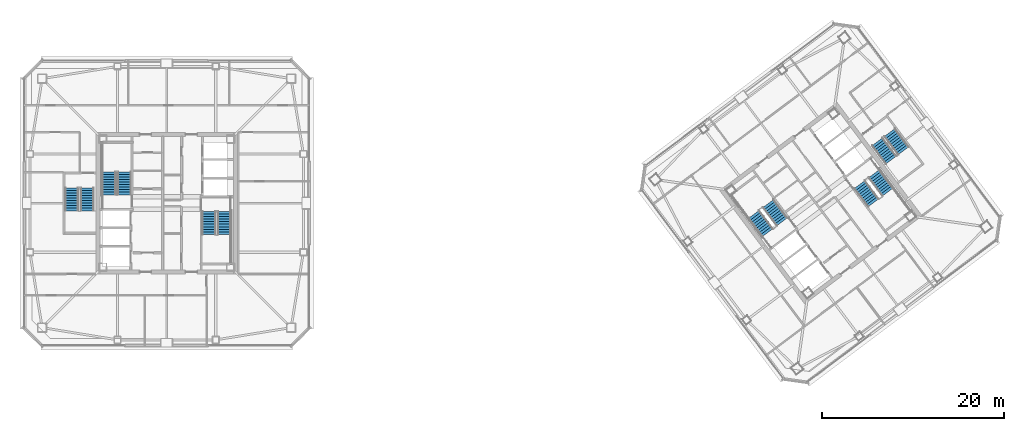
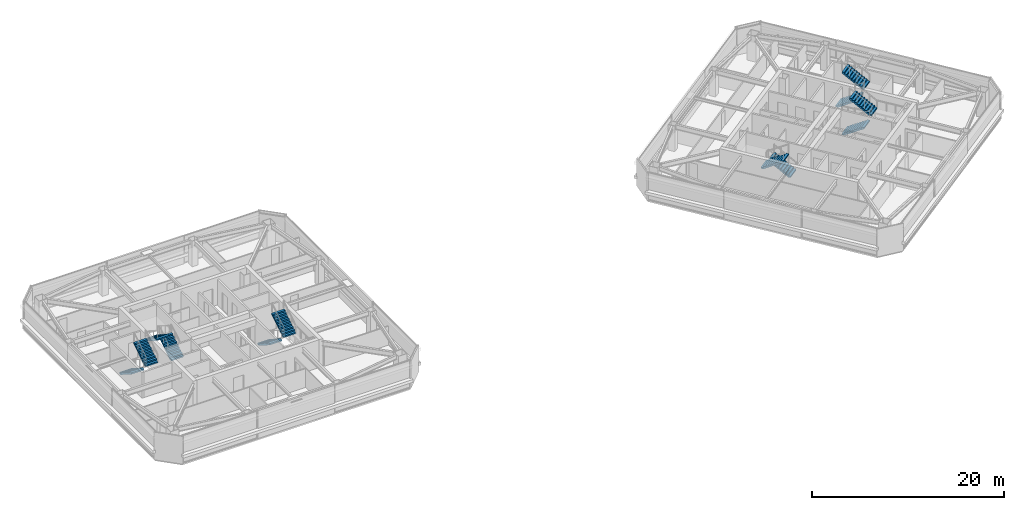
# One storey, part 33 of 39: 12 stair flights, 6 elements without a shape of their own.
"""IFC4 building model written with IfcOpenShell, lengths in metres."""

from ifc_helpers import new_model, si_unit, direction, frame, origin, place, context, subcontext, project, spatial, polyline, outline, extrude, material, type_object, element, aggregate, save


model = new_model("IFC4")

# Units and contexts
model_context = context("Model", 3, precision=1e-05, world=origin(), true_north=direction((0.0, 1.0)))
body_context = subcontext(model_context, "Body", "Model", "MODEL_VIEW")
ifc_project = project(units=[si_unit("LENGTHUNIT", "METRE"), si_unit("AREAUNIT", "SQUARE_METRE"), si_unit("VOLUMEUNIT", "CUBIC_METRE"), si_unit("PLANEANGLEUNIT", "RADIAN"), si_unit("MASSUNIT", "GRAM", prefix="KILO")], contexts=[model_context])

# Site, building, storey
site_placement = place(None, origin())
site = spatial("IfcSite", under=ifc_project, at=site_placement, CompositionType="ELEMENT")
building_placement = place(site_placement, origin())
building = spatial("IfcBuilding", under=site, at=building_placement, Name="Tashvorn Skyway Center", CompositionType="ELEMENT")
storey_placement = place(building_placement, frame((0.0, 0.0, 243.25)))
storey = spatial("IfcBuildingStorey", under=building, at=storey_placement, Name="L66", CompositionType="ELEMENT", Elevation=243.25)

# Stair, stair flights
ifc_material = material(Name="Concrete C40/50", Category="concrete")
stair_type = type_object("IfcStairType", Name="STAIR-CORE-1500", PredefinedType="HALF_TURN_STAIR", material=ifc_material)
stair_1_placement = place(storey_placement, origin())
stair_1 = element("IfcStair", 1, at=stair_1_placement, inside=storey, type_object=stair_type, Name="L66 Tower 1 Exit Stair 1", PredefinedType="HALF_TURN_STAIR")
stair_flight_type = type_object("IfcStairFlightType", Name="SFLIGHT-1500", PredefinedType="STRAIGHT", material=ifc_material)
stair_flight_1_placement = place(storey_placement, frame((37.35009765625, 32.919921875, 0.0), z_axis=(0.0, 0.0, 1.0), x_axis=(0.0, 1.0, 0.0)))
stair_flight_1 = element("IfcStairFlight", 2, at=stair_flight_1_placement, type_object=stair_flight_type, Name="ST-T1-1 flight 1", NumberOfRisers=10, NumberOfTreads=9, PredefinedType="STRAIGHT", RiserHeight=0.1775, TreadLength=0.28, context=body_context, shape_type="SweptSolid", body=[
    extrude(outline(polyline([(0.0, 0.0), (0.0, 0.177490234375), (0.280029296875, 0.177490234375), (0.280029296875, 0.35498046875), (0.56005859375, 0.35498046875), (0.56005859375, 0.532470703125), (0.840087890625, 0.532470703125), (0.840087890625, 0.7099609375), (1.1201171875, 0.7099609375), (1.1201171875, 0.887451171875), (1.39990234375, 0.887451171875), (1.39990234375, 1.06494140625), (1.679931640625, 1.06494140625), (1.679931640625, 1.242431640625), (1.9599609375, 1.242431640625), (1.9599609375, 1.419921875), (2.239990234375, 1.419921875), (2.239990234375, 1.597412109375), (2.52001953125, 1.597412109375), (2.52001953125, 1.77490234375), (2.52001953125, 1.419921875), (0.280029296875, 0.0), (0.0, 0.0)])), frame((0.0, 0.75, 0.0), z_axis=(0.0, -1.0, 0.0), x_axis=(1.0, 0.0, 0.0)), (0.0, 0.0, 1.0), 1.5),
])
stair_flight_2_placement = place(storey_placement, frame((35.64990234375, 35.43994140625, 1.77490234375), z_axis=(0.0, 0.0, 1.0), x_axis=(0.0, -1.0, 0.0)))
stair_flight_2 = element("IfcStairFlight", 3, at=stair_flight_2_placement, type_object=stair_flight_type, Name="ST-T1-1 flight 2", NumberOfRisers=10, NumberOfTreads=9, PredefinedType="STRAIGHT", RiserHeight=0.1775, TreadLength=0.28, context=body_context, shape_type="SweptSolid", body=[
    extrude(outline(polyline([(0.0, 0.0), (0.0, 0.177490234375), (0.280029296875, 0.177490234375), (0.280029296875, 0.35498046875), (0.56005859375, 0.35498046875), (0.56005859375, 0.532470703125), (0.840087890625, 0.532470703125), (0.840087890625, 0.7099609375), (1.1201171875, 0.7099609375), (1.1201171875, 0.887451171875), (1.39990234375, 0.887451171875), (1.39990234375, 1.06494140625), (1.679931640625, 1.06494140625), (1.679931640625, 1.242431640625), (1.9599609375, 1.242431640625), (1.9599609375, 1.419921875), (2.239990234375, 1.419921875), (2.239990234375, 1.597412109375), (2.52001953125, 1.597412109375), (2.52001953125, 1.77490234375), (2.52001953125, 1.419921875), (0.280029296875, 0.0), (0.0, 0.0)])), frame((0.0, 0.75, 0.0), z_axis=(0.0, -1.0, 0.0), x_axis=(1.0, 0.0, 0.0)), (0.0, 0.0, 1.0), 1.5),
])
aggregate(stair_1, [stair_flight_1, stair_flight_2])

stair_2_placement = place(storey_placement, origin())
stair_2 = element("IfcStair", 4, at=stair_2_placement, inside=storey, type_object=stair_type, Name="L66 Tower 1 Exit Stair 2", PredefinedType="HALF_TURN_STAIR")
stair_flight_3_placement = place(storey_placement, frame((46.64990234375, 31.080078125, 0.0), z_axis=(0.0, 0.0, 1.0), x_axis=(0.0, -1.0, 0.0)))
stair_flight_3 = element("IfcStairFlight", 5, at=stair_flight_3_placement, type_object=stair_flight_type, Name="ST-T1-2 flight 1", NumberOfRisers=10, NumberOfTreads=9, PredefinedType="STRAIGHT", RiserHeight=0.1775, TreadLength=0.28, context=body_context, shape_type="SweptSolid", body=[
    extrude(outline(polyline([(0.0, 0.0), (0.0, 0.177490234375), (0.280029296875, 0.177490234375), (0.280029296875, 0.35498046875), (0.56005859375, 0.35498046875), (0.56005859375, 0.532470703125), (0.840087890625, 0.532470703125), (0.840087890625, 0.7099609375), (1.1201171875, 0.7099609375), (1.1201171875, 0.887451171875), (1.39990234375, 0.887451171875), (1.39990234375, 1.06494140625), (1.679931640625, 1.06494140625), (1.679931640625, 1.242431640625), (1.9599609375, 1.242431640625), (1.9599609375, 1.419921875), (2.239990234375, 1.419921875), (2.239990234375, 1.597412109375), (2.52001953125, 1.597412109375), (2.52001953125, 1.77490234375), (2.52001953125, 1.419921875), (0.280029296875, 0.0), (0.0, 0.0)])), frame((0.0, 0.75, 0.0), z_axis=(0.0, -1.0, 0.0), x_axis=(1.0, 0.0, 0.0)), (0.0, 0.0, 1.0), 1.5),
])
stair_flight_4_placement = place(storey_placement, frame((48.35009765625, 28.56005859375, 1.77490234375), z_axis=(0.0, 0.0, 1.0), x_axis=(0.0, 1.0, 0.0)))
stair_flight_4 = element("IfcStairFlight", 6, at=stair_flight_4_placement, type_object=stair_flight_type, Name="ST-T1-2 flight 2", NumberOfRisers=10, NumberOfTreads=9, PredefinedType="STRAIGHT", RiserHeight=0.1775, TreadLength=0.28, context=body_context, shape_type="SweptSolid", body=[
    extrude(outline(polyline([(0.0, 0.0), (0.0, 0.177490234375), (0.280029296875, 0.177490234375), (0.280029296875, 0.35498046875), (0.56005859375, 0.35498046875), (0.56005859375, 0.532470703125), (0.840087890625, 0.532470703125), (0.840087890625, 0.7099609375), (1.1201171875, 0.7099609375), (1.1201171875, 0.887451171875), (1.39990234375, 0.887451171875), (1.39990234375, 1.06494140625), (1.679931640625, 1.06494140625), (1.679931640625, 1.242431640625), (1.9599609375, 1.242431640625), (1.9599609375, 1.419921875), (2.239990234375, 1.419921875), (2.239990234375, 1.597412109375), (2.52001953125, 1.597412109375), (2.52001953125, 1.77490234375), (2.52001953125, 1.419921875), (0.280029296875, 0.0), (0.0, 0.0)])), frame((0.0, 0.75, 0.0), z_axis=(0.0, -1.0, 0.0), x_axis=(1.0, 0.0, 0.0)), (0.0, 0.0, 1.0), 1.5),
])
aggregate(stair_2, [stair_flight_3, stair_flight_4])

stair_3_placement = place(storey_placement, origin())
stair_3 = element("IfcStair", 7, at=stair_3_placement, inside=storey, type_object=stair_type, Name="L66 Tower 2 Exit Stair 1", PredefinedType="HALF_TURN_STAIR")
stair_flight_5_placement = place(storey_placement, frame((109.72802734375, 29.946044921875, 0.0), z_axis=(0.0, 0.0, 1.0), x_axis=(-0.600000004945, 0.799999996291, 0.0)))
stair_flight_5 = element("IfcStairFlight", 8, at=stair_flight_5_placement, type_object=stair_flight_type, Name="ST-T2-1 flight 1", NumberOfRisers=10, NumberOfTreads=9, PredefinedType="STRAIGHT", RiserHeight=0.1775, TreadLength=0.28, context=body_context, shape_type="SweptSolid", body=[
    extrude(outline(polyline([(0.0, 0.0), (0.0, 0.177490234375), (0.280029296875, 0.177490234375), (0.280029296875, 0.35498046875), (0.56005859375, 0.35498046875), (0.56005859375, 0.532470703125), (0.840087890625, 0.532470703125), (0.840087890625, 0.7099609375), (1.1201171875, 0.7099609375), (1.1201171875, 0.887451171875), (1.39990234375, 0.887451171875), (1.39990234375, 1.06494140625), (1.679931640625, 1.06494140625), (1.679931640625, 1.242431640625), (1.9599609375, 1.242431640625), (1.9599609375, 1.419921875), (2.239990234375, 1.419921875), (2.239990234375, 1.597412109375), (2.52001953125, 1.597412109375), (2.52001953125, 1.77490234375), (2.52001953125, 1.419921875), (0.280029296875, 0.0), (0.0, 0.0)])), frame((0.0, 0.75, 0.0), z_axis=(0.0, -1.0, 0.0), x_axis=(1.0, 0.0, 0.0)), (0.0, 0.0, 1.0), 1.5),
])
stair_flight_6_placement = place(storey_placement, frame((106.632080078125, 30.77392578125, 1.77490234375), z_axis=(0.0, 0.0, 1.0), x_axis=(0.600000004945, -0.799999996291, 0.0)))
stair_flight_6 = element("IfcStairFlight", 9, at=stair_flight_6_placement, type_object=stair_flight_type, Name="ST-T2-1 flight 2", NumberOfRisers=10, NumberOfTreads=9, PredefinedType="STRAIGHT", RiserHeight=0.1775, TreadLength=0.28, context=body_context, shape_type="SweptSolid", body=[
    extrude(outline(polyline([(0.0, 0.0), (0.0, 0.177490234375), (0.280029296875, 0.177490234375), (0.280029296875, 0.35498046875), (0.56005859375, 0.35498046875), (0.56005859375, 0.532470703125), (0.840087890625, 0.532470703125), (0.840087890625, 0.7099609375), (1.1201171875, 0.7099609375), (1.1201171875, 0.887451171875), (1.39990234375, 0.887451171875), (1.39990234375, 1.06494140625), (1.679931640625, 1.06494140625), (1.679931640625, 1.242431640625), (1.9599609375, 1.242431640625), (1.9599609375, 1.419921875), (2.239990234375, 1.419921875), (2.239990234375, 1.597412109375), (2.52001953125, 1.597412109375), (2.52001953125, 1.77490234375), (2.52001953125, 1.419921875), (0.280029296875, 0.0), (0.0, 0.0)])), frame((0.0, 0.75, 0.0), z_axis=(0.0, -1.0, 0.0), x_axis=(1.0, 0.0, 0.0)), (0.0, 0.0, 1.0), 1.5),
])
aggregate(stair_3, [stair_flight_5, stair_flight_6])

stair_4_placement = place(storey_placement, origin())
stair_4 = element("IfcStair", 10, at=stair_4_placement, inside=storey, type_object=stair_type, Name="L66 Tower 2 Exit Stair 2", PredefinedType="HALF_TURN_STAIR")
stair_flight_7_placement = place(storey_placement, frame((118.27197265625, 34.053955078125, 0.0), z_axis=(0.0, 0.0, 1.0), x_axis=(0.600000004945, -0.799999996291, 0.0)))
stair_flight_7 = element("IfcStairFlight", 11, at=stair_flight_7_placement, type_object=stair_flight_type, Name="ST-T2-2 flight 1", NumberOfRisers=10, NumberOfTreads=9, PredefinedType="STRAIGHT", RiserHeight=0.1775, TreadLength=0.28, context=body_context, shape_type="SweptSolid", body=[
    extrude(outline(polyline([(0.0, 0.0), (0.0, 0.177490234375), (0.280029296875, 0.177490234375), (0.280029296875, 0.35498046875), (0.56005859375, 0.35498046875), (0.56005859375, 0.532470703125), (0.840087890625, 0.532470703125), (0.840087890625, 0.7099609375), (1.1201171875, 0.7099609375), (1.1201171875, 0.887451171875), (1.39990234375, 0.887451171875), (1.39990234375, 1.06494140625), (1.679931640625, 1.06494140625), (1.679931640625, 1.242431640625), (1.9599609375, 1.242431640625), (1.9599609375, 1.419921875), (2.239990234375, 1.419921875), (2.239990234375, 1.597412109375), (2.52001953125, 1.597412109375), (2.52001953125, 1.77490234375), (2.52001953125, 1.419921875), (0.280029296875, 0.0), (0.0, 0.0)])), frame((0.0, 0.75, 0.0), z_axis=(0.0, -1.0, 0.0), x_axis=(1.0, 0.0, 0.0)), (0.0, 0.0, 1.0), 1.5),
])
stair_flight_8_placement = place(storey_placement, frame((121.367919921875, 33.22607421875, 1.77490234375), z_axis=(0.0, 0.0, 1.0), x_axis=(-0.600000004945, 0.799999996291, 0.0)))
stair_flight_8 = element("IfcStairFlight", 12, at=stair_flight_8_placement, type_object=stair_flight_type, Name="ST-T2-2 flight 2", NumberOfRisers=10, NumberOfTreads=9, PredefinedType="STRAIGHT", RiserHeight=0.1775, TreadLength=0.28, context=body_context, shape_type="SweptSolid", body=[
    extrude(outline(polyline([(0.0, 0.0), (0.0, 0.177490234375), (0.280029296875, 0.177490234375), (0.280029296875, 0.35498046875), (0.56005859375, 0.35498046875), (0.56005859375, 0.532470703125), (0.840087890625, 0.532470703125), (0.840087890625, 0.7099609375), (1.1201171875, 0.7099609375), (1.1201171875, 0.887451171875), (1.39990234375, 0.887451171875), (1.39990234375, 1.06494140625), (1.679931640625, 1.06494140625), (1.679931640625, 1.242431640625), (1.9599609375, 1.242431640625), (1.9599609375, 1.419921875), (2.239990234375, 1.419921875), (2.239990234375, 1.597412109375), (2.52001953125, 1.597412109375), (2.52001953125, 1.77490234375), (2.52001953125, 1.419921875), (0.280029296875, 0.0), (0.0, 0.0)])), frame((0.0, 0.75, 0.0), z_axis=(0.0, -1.0, 0.0), x_axis=(1.0, 0.0, 0.0)), (0.0, 0.0, 1.0), 1.5),
])
aggregate(stair_4, [stair_flight_7, stair_flight_8])

stair_5_placement = place(storey_placement, origin())
stair_5 = element("IfcStair", 13, at=stair_5_placement, inside=storey, type_object=stair_type, Name="L66 Tower 1 Exit Stair 3", PredefinedType="HALF_TURN_STAIR")
stair_flight_9_placement = place(storey_placement, frame((31.550048828125, 33.679931640625, 0.0), z_axis=(0.0, 0.0, 1.0), x_axis=(0.0, -1.0, 0.0)))
stair_flight_9 = element("IfcStairFlight", 14, at=stair_flight_9_placement, type_object=stair_flight_type, Name="ST-T1-3 flight 1", NumberOfRisers=10, NumberOfTreads=9, PredefinedType="STRAIGHT", RiserHeight=0.1775, TreadLength=0.28, context=body_context, shape_type="SweptSolid", body=[
    extrude(outline(polyline([(0.0, 0.0), (0.0, 0.177490234375), (0.280029296875, 0.177490234375), (0.280029296875, 0.35498046875), (0.56005859375, 0.35498046875), (0.56005859375, 0.532470703125), (0.840087890625, 0.532470703125), (0.840087890625, 0.7099609375), (1.1201171875, 0.7099609375), (1.1201171875, 0.887451171875), (1.39990234375, 0.887451171875), (1.39990234375, 1.06494140625), (1.679931640625, 1.06494140625), (1.679931640625, 1.242431640625), (1.9599609375, 1.242431640625), (1.9599609375, 1.419921875), (2.239990234375, 1.419921875), (2.239990234375, 1.597412109375), (2.52001953125, 1.597412109375), (2.52001953125, 1.77490234375), (2.52001953125, 1.419921875), (0.280029296875, 0.0), (0.0, 0.0)])), frame((0.0, 0.75, 0.0), z_axis=(0.0, -1.0, 0.0), x_axis=(1.0, 0.0, 0.0)), (0.0, 0.0, 1.0), 1.5),
])
stair_flight_10_placement = place(storey_placement, frame((33.25, 31.159912109375, 1.77490234375), z_axis=(0.0, 0.0, 1.0), x_axis=(0.0, 1.0, 0.0)))
stair_flight_10 = element("IfcStairFlight", 15, at=stair_flight_10_placement, type_object=stair_flight_type, Name="ST-T1-3 flight 2", NumberOfRisers=10, NumberOfTreads=9, PredefinedType="STRAIGHT", RiserHeight=0.1775, TreadLength=0.28, context=body_context, shape_type="SweptSolid", body=[
    extrude(outline(polyline([(0.0, 0.0), (0.0, 0.177490234375), (0.280029296875, 0.177490234375), (0.280029296875, 0.35498046875), (0.56005859375, 0.35498046875), (0.56005859375, 0.532470703125), (0.840087890625, 0.532470703125), (0.840087890625, 0.7099609375), (1.1201171875, 0.7099609375), (1.1201171875, 0.887451171875), (1.39990234375, 0.887451171875), (1.39990234375, 1.06494140625), (1.679931640625, 1.06494140625), (1.679931640625, 1.242431640625), (1.9599609375, 1.242431640625), (1.9599609375, 1.419921875), (2.239990234375, 1.419921875), (2.239990234375, 1.597412109375), (2.52001953125, 1.597412109375), (2.52001953125, 1.77490234375), (2.52001953125, 1.419921875), (0.280029296875, 0.0), (0.0, 0.0)])), frame((0.0, 0.75, 0.0), z_axis=(0.0, -1.0, 0.0), x_axis=(1.0, 0.0, 0.0)), (0.0, 0.0, 1.0), 1.5),
])
aggregate(stair_5, [stair_flight_9, stair_flight_10])

stair_6_placement = place(storey_placement, origin())
stair_6 = element("IfcStair", 16, at=stair_6_placement, inside=storey, type_object=stair_type, Name="L66 Tower 2 Exit Stair 3", PredefinedType="HALF_TURN_STAIR")
stair_flight_11_placement = place(storey_placement, frame((120.216064453125, 38.761962890625, 0.0), z_axis=(0.0, 0.0, 1.0), x_axis=(0.600000004945, -0.799999996291, 0.0)))
stair_flight_11 = element("IfcStairFlight", 17, at=stair_flight_11_placement, type_object=stair_flight_type, Name="ST-T2-3 flight 1", NumberOfRisers=10, NumberOfTreads=9, PredefinedType="STRAIGHT", RiserHeight=0.1775, TreadLength=0.28, context=body_context, shape_type="SweptSolid", body=[
    extrude(outline(polyline([(0.0, 0.0), (0.0, 0.177490234375), (0.280029296875, 0.177490234375), (0.280029296875, 0.35498046875), (0.56005859375, 0.35498046875), (0.56005859375, 0.532470703125), (0.840087890625, 0.532470703125), (0.840087890625, 0.7099609375), (1.1201171875, 0.7099609375), (1.1201171875, 0.887451171875), (1.39990234375, 0.887451171875), (1.39990234375, 1.06494140625), (1.679931640625, 1.06494140625), (1.679931640625, 1.242431640625), (1.9599609375, 1.242431640625), (1.9599609375, 1.419921875), (2.239990234375, 1.419921875), (2.239990234375, 1.597412109375), (2.52001953125, 1.597412109375), (2.52001953125, 1.77490234375), (2.52001953125, 1.419921875), (0.280029296875, 0.0), (0.0, 0.0)])), frame((0.0, 0.75, 0.0), z_axis=(0.0, -1.0, 0.0), x_axis=(1.0, 0.0, 0.0)), (0.0, 0.0, 1.0), 1.5),
])
stair_flight_12_placement = place(storey_placement, frame((123.087890625, 37.76611328125, 1.77490234375), z_axis=(0.0, 0.0, 1.0), x_axis=(-0.600000004945, 0.799999996291, 0.0)))
stair_flight_12 = element("IfcStairFlight", 18, at=stair_flight_12_placement, type_object=stair_flight_type, Name="ST-T2-3 flight 2", NumberOfRisers=10, NumberOfTreads=9, PredefinedType="STRAIGHT", RiserHeight=0.1775, TreadLength=0.28, context=body_context, shape_type="SweptSolid", body=[
    extrude(outline(polyline([(0.0, 0.0), (0.0, 0.177490234375), (0.280029296875, 0.177490234375), (0.280029296875, 0.35498046875), (0.56005859375, 0.35498046875), (0.56005859375, 0.532470703125), (0.840087890625, 0.532470703125), (0.840087890625, 0.7099609375), (1.1201171875, 0.7099609375), (1.1201171875, 0.887451171875), (1.39990234375, 0.887451171875), (1.39990234375, 1.06494140625), (1.679931640625, 1.06494140625), (1.679931640625, 1.242431640625), (1.9599609375, 1.242431640625), (1.9599609375, 1.419921875), (2.239990234375, 1.419921875), (2.239990234375, 1.597412109375), (2.52001953125, 1.597412109375), (2.52001953125, 1.77490234375), (2.52001953125, 1.419921875), (0.280029296875, 0.0), (0.0, 0.0)])), frame((0.0, 0.75, 0.0), z_axis=(0.0, -1.0, 0.0), x_axis=(1.0, 0.0, 0.0)), (0.0, 0.0, 1.0), 1.5),
])
aggregate(stair_6, [stair_flight_11, stair_flight_12])

save(model, "model.ifc")
